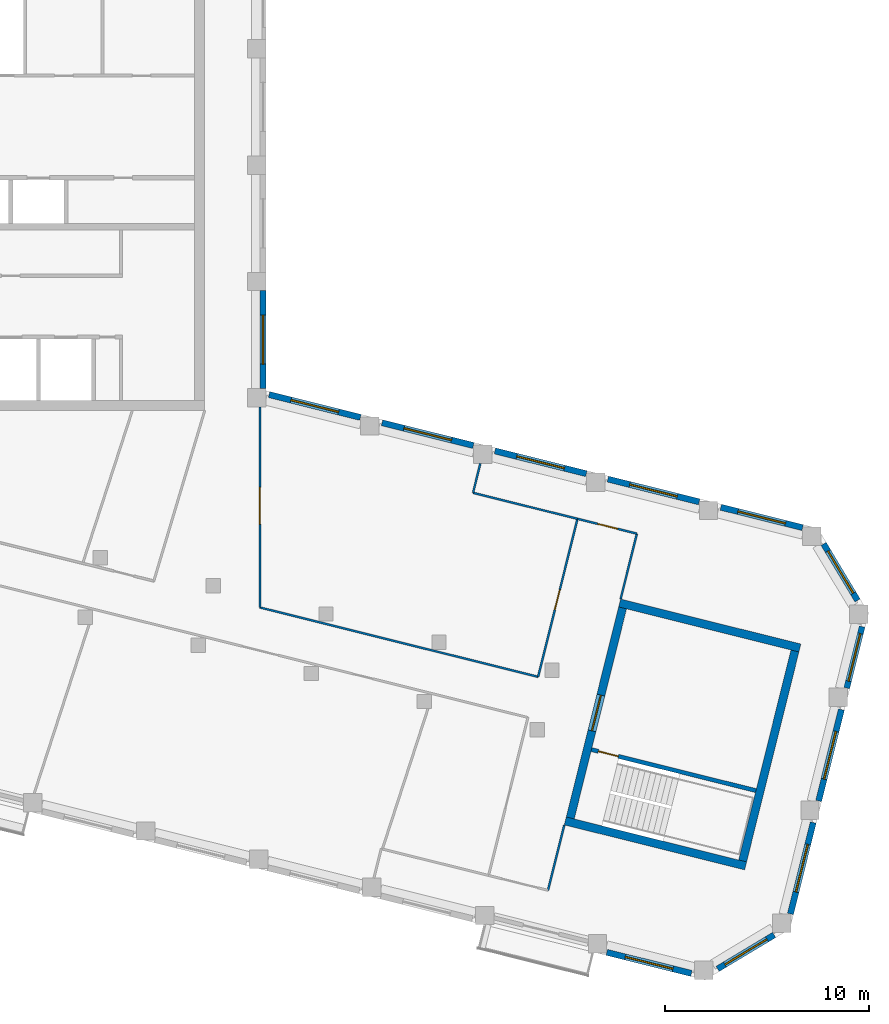
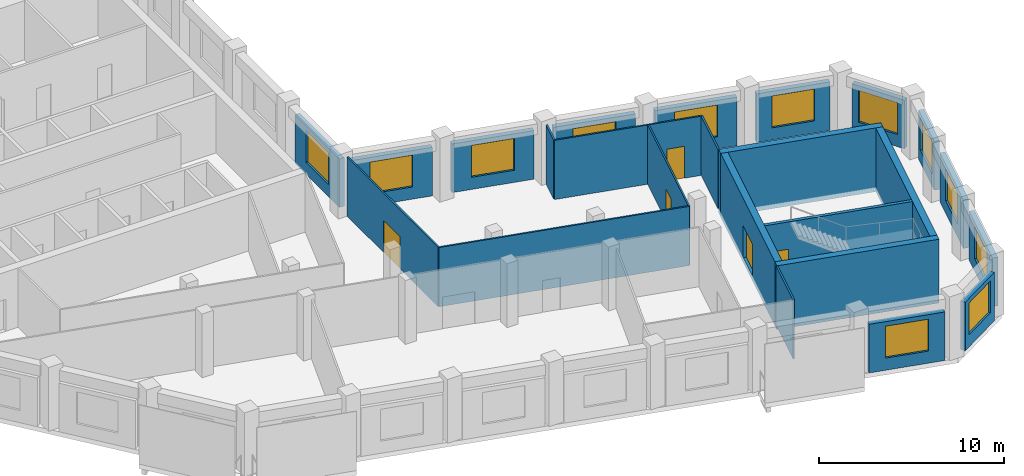
# One storey, part 4 of 8: 25 walls, 12 windows, 5 doors, 17 openings.
"""IFC4 building model written with IfcOpenShell, lengths in metres."""

import ifcopenshell
import ifcopenshell.guid

model = None  # the IFC model being written
_history = None  # IfcOwnerHistory: only IFC2X3 demands one
_inside = {}  # id of a spatial element -> (the spatial element, [elements in it])
_under = {}  # id of a project, library or spatial element -> (it, [spatial elements below it])
_declared = {}  # id of a project -> (the project, [libraries it declares])
_typed = {}  # id of a type object -> (the type object, [elements of that type])
_made_of = {}  # id of a material, layer set ... -> (it, [elements and type objects made of it])


def new_model(schema):
    """Start an empty IFC model of exactly this schema.

    Asked for "IFC4X3", IfcOpenShell would pick the latest addendum, in which some entities
    have other attributes; the version numbers below select the first issue.
    IFC2X3 requires an IfcOwnerHistory on every rooted entity: one is made here for all.
    """
    global model, _history
    if schema == "IFC4X3":
        model = ifcopenshell.file(schema_version=(4, 3, 0, 0))
    else:
        model = ifcopenshell.file(schema=schema)
    _inside.clear()
    _under.clear()
    _declared.clear()
    _typed.clear()
    _made_of.clear()
    _history = None
    if model.schema == "IFC2X3":
        org = make("IfcOrganization", Name="unknown")
        user = make(
            "IfcPersonAndOrganization",
            ThePerson=make("IfcPerson", FamilyName="unknown"),
            TheOrganization=org,
        )
        app = make(
            "IfcApplication",
            ApplicationDeveloper=org,
            Version="unknown",
            ApplicationFullName="unknown",
            ApplicationIdentifier="unknown",
        )
        _history = make(
            "IfcOwnerHistory",
            OwningUser=user,
            OwningApplication=app,
            ChangeAction="ADDED",
            CreationDate=0,
        )
    return model


def make(cls, **values):
    """One entity of the class cls with the attributes given. An attribute that is None is left unset."""
    return model.create_entity(
        cls, **{name: value for name, value in values.items() if value is not None}
    )


def rooted(cls, **values):
    """An entity with a GlobalId (a new one), such as an element, a storey or a relation."""
    return make(cls, GlobalId=ifcopenshell.guid.new(), OwnerHistory=_history, **values)


def si_unit(unit_type, name, prefix=None):
    """IfcSIUnit, for example si_unit("LENGTHUNIT", "METRE", prefix="MILLI")."""
    return make("IfcSIUnit", UnitType=unit_type, Prefix=prefix, Name=name)


def assignment(units):
    """IfcUnitAssignment: the units of a project."""
    return None if units is None else make("IfcUnitAssignment", Units=units)


def point(xyz):
    """IfcCartesianPoint."""
    return None if xyz is None else make("IfcCartesianPoint", Coordinates=xyz)


def direction(xyz):
    """IfcDirection."""
    return None if xyz is None else make("IfcDirection", DirectionRatios=xyz)


def frame(location, z_axis=None, x_axis=None):
    """IfcAxis2Placement3D, a coordinate frame: its origin and axes. An axis left out is left unset."""
    return make(
        "IfcAxis2Placement3D",
        Location=point(location),
        Axis=direction(z_axis),
        RefDirection=direction(x_axis),
    )


def frame_2d(location, x_axis=None):
    """IfcAxis2Placement2D, a coordinate frame in the plane: its origin and x axis."""
    return make(
        "IfcAxis2Placement2D", Location=point(location), RefDirection=direction(x_axis)
    )


def origin():
    """The frame at (0, 0, 0) with its axes left unset."""
    return frame((0.0, 0.0, 0.0))


def place(relative_to, where):
    """IfcLocalPlacement: puts the frame where relative to a parent placement (None: the world)."""
    return make(
        "IfcLocalPlacement", PlacementRelTo=relative_to, RelativePlacement=where
    )


def context(
    kind, dimensions, precision=None, world=None, true_north=None, identifier=None
):
    """IfcGeometricRepresentationContext, for example the 3D "Model" context."""
    return make(
        "IfcGeometricRepresentationContext",
        ContextIdentifier=identifier,
        ContextType=kind,
        CoordinateSpaceDimension=dimensions,
        Precision=precision,
        WorldCoordinateSystem=world,
        TrueNorth=true_north,
    )


def subcontext(parent, identifier, kind, view, scale=None):
    """IfcGeometricRepresentationSubContext, for example "Body" below "Model"."""
    return make(
        "IfcGeometricRepresentationSubContext",
        ContextIdentifier=identifier,
        ContextType=kind,
        ParentContext=parent,
        TargetScale=scale,
        TargetView=view,
    )


def project(units=None, contexts=None):
    """IfcProject with its units and contexts."""
    return rooted(
        "IfcProject",
        Name="project",
        RepresentationContexts=contexts,
        UnitsInContext=assignment(units),
    )


def spatial(cls, under=None, at=None, **own):
    """A site, building, storey or space (cls), placed at a placement, below another one or the project."""
    s = rooted(cls, ObjectPlacement=at, **own)
    if under is not None:
        _under.setdefault(under.id(), (under, []))[1].append(s)
    return s


def profile(cls, at=None, kind="AREA", **sizes):
    """A parametric profile (cls). Its sizes go by their IFC names, for example OverallWidth=200.0."""
    return make(cls, ProfileType=kind, Position=at, **sizes)


def rectangle(**sizes):
    """IfcRectangleProfileDef."""
    return profile("IfcRectangleProfileDef", **sizes)


def extrude(swept, where, along, depth):
    """IfcExtrudedAreaSolid: the profile swept, set in the frame where, extruded along a direction by depth."""
    return make(
        "IfcExtrudedAreaSolid",
        SweptArea=swept,
        Position=where,
        ExtrudedDirection=direction(along),
        Depth=depth,
    )


def shape(context_of_items, identifier, shape_type, items):
    """IfcShapeRepresentation: the items that make up one representation, for example the "Body"."""
    return make(
        "IfcShapeRepresentation",
        ContextOfItems=context_of_items,
        RepresentationIdentifier=identifier,
        RepresentationType=shape_type,
        Items=items,
    )


def material(Name=None, Category=None):
    """IfcMaterial."""
    return make("IfcMaterial", Name=Name, Category=Category)


def layer(
    of_material, thickness, ventilated=None, Name=None, Category=None, Priority=None
):
    """IfcMaterialLayer: one layer of a wall or slab, of a material (None: an air gap)."""
    return make(
        "IfcMaterialLayer",
        Material=of_material,
        LayerThickness=thickness,
        IsVentilated=ventilated,
        Name=Name,
        Category=Category,
        Priority=Priority,
    )


def layer_set(layers, Name=None):
    """IfcMaterialLayerSet."""
    return make("IfcMaterialLayerSet", MaterialLayers=layers, LayerSetName=Name)


def made_of(thing, what):
    """Note that an element or type object is made of a material, layer set ...; save() writes the relation."""
    if what is not None:
        _made_of.setdefault(what.id(), (what, []))[1].append(thing)
    return thing


def type_object(cls, material=None, **own):
    """A type object (cls), such as IfcWallType, which elements share."""
    return made_of(rooted(cls, **own), material)


def element(
    cls,
    number,
    at=None,
    inside=None,
    cuts=None,
    type_object=None,
    material=None,
    context=None,
    identifier="Body",
    shape_type=None,
    held_by="IfcProductDefinitionShape",
    body=None,
    shapes=None,
    **own,
):
    """One element of the class cls, such as IfcWall. Its Tag is "e" and its number.

    at: its placement. inside: the storey or other place that contains it. cuts: it is an
    opening in that element (IfcRelVoidsElement). A single representation is given by context,
    identifier, shape_type and body (its items); several are given by shapes. held_by: the class
    of the entity that holds the representations. save() writes the other relations.
    """
    e = rooted(cls, Tag="e%d" % number, ObjectPlacement=at, **own)
    if body is not None:
        shapes = [shape(context, identifier, shape_type, body)]
    if shapes is not None:
        e.Representation = make(held_by, Representations=shapes)
    if inside is not None:
        _inside.setdefault(inside.id(), (inside, []))[1].append(e)
    if cuts is not None:
        rooted(
            "IfcRelVoidsElement", RelatingBuildingElement=cuts, RelatedOpeningElement=e
        )
    if type_object is not None:
        _typed.setdefault(type_object.id(), (type_object, []))[1].append(e)
    return made_of(e, material)


def fill(opening, filler):
    """IfcRelFillsElement: the door or window that sits in an opening."""
    return rooted(
        "IfcRelFillsElement",
        RelatingOpeningElement=opening,
        RelatedBuildingElement=filler,
    )


def aggregate(whole, parts):
    """IfcRelAggregates: a whole, such as a stair, and the parts it consists of."""
    return rooted("IfcRelAggregates", RelatingObject=whole, RelatedObjects=parts)


def save(model, path):
    """Write the relations noted so far, then the file.

    IfcRelAggregates (storeys below a building ...), IfcRelContainedInSpatialStructure (elements
    in a storey), IfcRelDefinesByType, IfcRelAssociatesMaterial and IfcRelDeclares: one each for
    every whole, place, type object, material and project.
    """
    for whole, parts in _under.values():
        aggregate(whole, parts)
    for where, things in _inside.values():
        rooted(
            "IfcRelContainedInSpatialStructure",
            RelatedElements=things,
            RelatingStructure=where,
        )
    for kind, things in _typed.values():
        rooted("IfcRelDefinesByType", RelatedObjects=things, RelatingType=kind)
    for what, things in _made_of.values():
        rooted("IfcRelAssociatesMaterial", RelatedObjects=things, RelatingMaterial=what)
    for by, libraries in _declared.values():
        rooted("IfcRelDeclares", RelatingContext=by, RelatedDefinitions=libraries)
    model.write(path)


model = new_model("IFC4")

# Units and contexts
model_context = context("Model", 3, precision=1e-05, world=origin(), true_north=direction((0.0, 1.0)))
body_context = subcontext(model_context, "Body", "Model", "MODEL_VIEW")
ifc_project = project(units=[si_unit("LENGTHUNIT", "METRE"), si_unit("AREAUNIT", "SQUARE_METRE"), si_unit("VOLUMEUNIT", "CUBIC_METRE"), si_unit("PLANEANGLEUNIT", "RADIAN"), si_unit("MASSUNIT", "GRAM", prefix="KILO")], contexts=[model_context])

# Site, building, storey
site_placement = place(None, origin())
site = spatial("IfcSite", under=ifc_project, at=site_placement, CompositionType="ELEMENT")
building_placement = place(site_placement, origin())
building = spatial("IfcBuilding", under=site, at=building_placement, Name="Meshkara Civic Tower", CompositionType="ELEMENT")
storey_placement = place(building_placement, frame((0.0, 0.0, 391.800048828125)))
storey = spatial("IfcBuildingStorey", under=building, at=storey_placement, Name="L90", CompositionType="ELEMENT", Elevation=391.800048828125)

# Wall, opening, door
ifc_material_1 = material(Name="Corridor wall 100")
ifc_layer_1 = layer(ifc_material_1, 0.10009765625)
ifc_layer_set_1 = layer_set([ifc_layer_1], Name="Corridor wall 100")
wall_type_1 = type_object("IfcWallType", Name="Corridor wall 100", PredefinedType="PARTITIONING", material=ifc_layer_set_1)
wall_1_placement = place(storey_placement, frame((33.5, 4.4541015625, 0.0), z_axis=(0.0, 0.0, 1.0), x_axis=(0.0, 1.0, 0.0)))
wall_1 = element("IfcWall", 1, at=wall_1_placement, inside=storey, type_object=wall_type_1, Name="L90-W015", PredefinedType="PARTITIONING", context=body_context, shape_type="SweptSolid", body=[
    extrude(rectangle(XDim=9.81494140625, YDim=0.10009765625, at=frame_2d((4.907470703125, 0.0))), origin(), (0.0, 0.0, 1.0), 3.89990234375),
])
opening_1_placement = place(wall_1_placement, frame((4.080078125, 0.0, 0.0)))
opening_1 = element("IfcOpeningElement", 2, at=opening_1_placement, cuts=wall_1, Name="Opening L90-D009", PredefinedType="OPENING", context=body_context, shape_type="SweptSolid", body=[
    extrude(rectangle(XDim=1.800048828125, YDim=2.10009765625, at=frame_2d((0.89990234375, 1.050048828125))), frame((0.0, 0.06005859375, 0.0), z_axis=(0.0, -1.0, 0.0), x_axis=(1.0, 0.0, 0.0)), (0.0, 0.0, 1.0), 0.1201171875),
])
ifc_material_2 = material(Name="Door pair 1800 x 2100")
door_type_1 = type_object("IfcDoorType", Name="Door pair 1800 x 2100", OperationType="SINGLE_SWING_LEFT", PredefinedType="DOOR", material=ifc_material_2)
door_1_placement = place(opening_1_placement, origin())
door_1 = element("IfcDoor", 3, at=door_1_placement, inside=storey, type_object=door_type_1, Name="L90-D009", OperationType="DOUBLE_DOOR_SINGLE_SWING", OverallHeight=2.10009765625, OverallWidth=1.800048828125, PredefinedType="DOOR", context=body_context, shape_type="SweptSolid", body=[
    extrude(rectangle(XDim=1.800048828125, YDim=2.10009765625, at=frame_2d((0.89990234375, 1.050048828125))), frame((0.0, 0.02490234375, 0.0), z_axis=(0.0, -1.0, 0.0), x_axis=(1.0, 0.0, 0.0)), (0.0, 0.0, 1.0), 0.050048828125),
])
fill(opening_1, door_1)

# Walls
wall_2_placement = place(storey_placement, frame((47.1259765625, 1.056884765625, 0.0), z_axis=(0.0, 0.0, 1.0), x_axis=(-0.970297744229, 0.241913801888, 0.0)))
element("IfcWall", 4, at=wall_2_placement, inside=storey, type_object=wall_type_1, Name="L90-W018", PredefinedType="PARTITIONING", context=body_context, shape_type="SweptSolid", body=[
    extrude(rectangle(XDim=14.04296875, YDim=0.10009765625, at=frame_2d((7.021484375, 0.0))), origin(), (0.0, 0.0, 1.0), 3.89990234375),
])
wall_3_placement = place(storey_placement, frame((47.611083984375, -9.39697265625, 0.0), z_axis=(0.0, 0.0, 1.0), x_axis=(0.241786986316, 0.970329352977, 0.0)))
element("IfcWall", 5, at=wall_3_placement, inside=storey, type_object=wall_type_1, Name="L90-W019", PredefinedType="PARTITIONING", context=body_context, shape_type="SweptSolid", body=[
    extrude(rectangle(XDim=3.2998046875, YDim=0.10009765625, at=frame_2d((1.64990234375, 0.0))), origin(), (0.0, 0.0, 1.0), 3.89990234375),
])

# Wall, opening, door
wall_4_placement = place(storey_placement, frame((49.054931640625, 8.7939453125, 0.0), z_axis=(0.0, 0.0, 1.0), x_axis=(-0.241908816319, -0.970298987213, 0.0)))
wall_4 = element("IfcWall", 6, at=wall_4_placement, inside=storey, type_object=wall_type_1, Name="L90-W020", PredefinedType="PARTITIONING", context=body_context, shape_type="SweptSolid", body=[
    extrude(rectangle(XDim=7.973876953125, YDim=0.10009765625, at=frame_2d((3.98681640625, 0.0))), origin(), (0.0, 0.0, 1.0), 3.89990234375),
])
opening_2_placement = place(wall_4_placement, frame((3.580078125, 0.0, 0.0)))
opening_2 = element("IfcOpeningElement", 7, at=opening_2_placement, cuts=wall_4, Name="Opening L90-D005", PredefinedType="OPENING", context=body_context, shape_type="SweptSolid", body=[
    extrude(rectangle(XDim=1.0, YDim=2.10009765625, at=frame_2d((0.5, 1.050048828125))), frame((0.0, 0.06005859375, 0.0), z_axis=(0.0, -1.0, 0.0), x_axis=(1.0, 0.0, 0.0)), (0.0, 0.0, 1.0), 0.1201171875),
])
ifc_material_3 = material(Name="Door 1000 x 2100")
door_type_2 = type_object("IfcDoorType", Name="Door 1000 x 2100", OperationType="SINGLE_SWING_LEFT", PredefinedType="DOOR", material=ifc_material_3)
door_2_placement = place(opening_2_placement, origin())
door_2 = element("IfcDoor", 8, at=door_2_placement, inside=storey, type_object=door_type_2, Name="L90-D005", OperationType="SINGLE_SWING_LEFT", OverallHeight=2.10009765625, OverallWidth=1.0, PredefinedType="DOOR", context=body_context, shape_type="SweptSolid", body=[
    extrude(rectangle(XDim=1.0, YDim=2.10009765625, at=frame_2d((0.5, 1.050048828125))), frame((0.0, 0.02490234375, 0.0), z_axis=(0.0, -1.0, 0.0), x_axis=(1.0, 0.0, 0.0)), (0.0, 0.0, 1.0), 0.050048828125),
])
fill(opening_2, door_2)

# Wall
wall_5_placement = place(storey_placement, frame((51.1669921875, 4.865966796875, 0.0), z_axis=(0.0, 0.0, 1.0), x_axis=(0.241839284064, 0.97031631991, 0.0)))
element("IfcWall", 9, at=wall_5_placement, inside=storey, type_object=wall_type_1, Name="L90-W021", PredefinedType="PARTITIONING", context=body_context, shape_type="SweptSolid", body=[
    extrude(rectangle(XDim=3.300048828125, YDim=0.10009765625, at=frame_2d((1.64990234375, 0.0))), origin(), (0.0, 0.0, 1.0), 3.89990234375),
])

# Wall, opening, door
wall_6_placement = place(storey_placement, frame((51.965087890625, 8.068115234375, 0.0), z_axis=(0.0, 0.0, 1.0), x_axis=(-0.970276420912, 0.241999312028, 0.0)))
wall_6 = element("IfcWall", 10, at=wall_6_placement, inside=storey, type_object=wall_type_1, Name="L90-W022", PredefinedType="PARTITIONING", context=body_context, shape_type="SweptSolid", body=[
    extrude(rectangle(XDim=2.999267578125, YDim=0.10009765625, at=frame_2d((1.49951171875, 0.0))), origin(), (0.0, 0.0, 1.0), 3.89990234375),
])
opening_3_placement = place(wall_6_placement, frame((0.97998046875, 0.0, 0.0)))
opening_3 = element("IfcOpeningElement", 11, at=opening_3_placement, cuts=wall_6, Name="Opening L90-D010", PredefinedType="OPENING", context=body_context, shape_type="SweptSolid", body=[
    extrude(rectangle(XDim=1.0, YDim=2.10009765625, at=frame_2d((0.5, 1.050048828125))), frame((0.0, 0.06005859375, 0.0), z_axis=(0.0, -1.0, 0.0), x_axis=(1.0, 0.0, 0.0)), (0.0, 0.0, 1.0), 0.1201171875),
])
door_3_placement = place(opening_3_placement, origin())
door_3 = element("IfcDoor", 12, at=door_3_placement, inside=storey, type_object=door_type_2, Name="L90-D010", OperationType="SINGLE_SWING_RIGHT", OverallHeight=2.10009765625, OverallWidth=1.0, PredefinedType="DOOR", context=body_context, shape_type="SweptSolid", body=[
    extrude(rectangle(XDim=1.0, YDim=2.10009765625, at=frame_2d((0.5, 1.050048828125))), frame((0.0, 0.02490234375, 0.0), z_axis=(0.0, -1.0, 0.0), x_axis=(1.0, 0.0, 0.0)), (0.0, 0.0, 1.0), 0.050048828125),
])
fill(opening_3, door_3)

# Wall, opening, window
ifc_material_4 = material(Name="Insulated infill panel with bronze anodised aluminium cladding", Category="aluminium")
ifc_layer_2 = layer(ifc_material_4, 0.300048828125)
ifc_layer_set_2 = layer_set([ifc_layer_2], Name="EXTERNAL INFILL WALL 300")
wall_type_2 = type_object("IfcWallType", Name="EXTERNAL INFILL WALL 300", PredefinedType="SOLIDWALL", material=ifc_layer_set_2)
wall_7_placement = place(storey_placement, frame((60.075927734375, 8.364990234375, 0.0), z_axis=(0.0, 0.0, 1.0), x_axis=(-0.970323340708, 0.24181111322, 0.0)))
wall_7 = element("IfcWall", 13, at=wall_7_placement, inside=storey, type_object=wall_type_2, Name="External wall", PredefinedType="SOLIDWALL", context=body_context, shape_type="SweptSolid", body=[
    extrude(rectangle(XDim=4.123291015625, YDim=0.300048828125, at=frame_2d((2.0615234375, 0.0))), origin(), (0.0, 0.0, 1.0), 3.199951171875),
])
opening_4_placement = place(wall_7_placement, frame((0.862060546875, 0.0, 0.800048828125)))
opening_4 = element("IfcOpeningElement", 14, at=opening_4_placement, cuts=wall_7, Name="Opening W7", PredefinedType="OPENING", context=body_context, shape_type="SweptSolid", body=[
    extrude(rectangle(XDim=2.39990234375, YDim=2.10009765625, at=frame_2d((1.199951171875, 1.050048828125))), frame((0.0, 0.159912109375, 0.0), z_axis=(0.0, -1.0, 0.0), x_axis=(1.0, 0.0, 0.0)), (0.0, 0.0, 1.0), 0.320068359375),
])
ifc_material_5 = material(Name="Tinted double glazing", Category="glass")
window_type = type_object("IfcWindowType", Name="WINDOW 2400x2100", PartitioningType="DOUBLE_PANEL_VERTICAL", PredefinedType="WINDOW", material=ifc_material_5)
window_1_placement = place(opening_4_placement, origin())
window_1 = element("IfcWindow", 15, at=window_1_placement, inside=storey, type_object=window_type, Name="Window", OverallHeight=2.10009765625, OverallWidth=2.39990234375, PartitioningType="DOUBLE_PANEL_VERTICAL", PredefinedType="WINDOW", context=body_context, shape_type="SweptSolid", body=[
    extrude(rectangle(XDim=2.39990234375, YDim=2.10009765625, at=frame_2d((1.199951171875, 1.050048828125))), frame((0.0, 0.030029296875, 0.0), z_axis=(0.0, -1.0, 0.0), x_axis=(1.0, 0.0, 0.0)), (0.0, 0.0, 1.0), 0.06005859375),
])
fill(opening_4, window_1)

wall_8_placement = place(storey_placement, frame((55.01611328125, 9.6259765625, 0.0), z_axis=(0.0, 0.0, 1.0), x_axis=(-0.970298093093, 0.241912402618, 0.0)))
wall_8 = element("IfcWall", 16, at=wall_8_placement, inside=storey, type_object=wall_type_2, Name="External wall", PredefinedType="SOLIDWALL", context=body_context, shape_type="SweptSolid", body=[
    extrude(rectangle(XDim=4.609130859375, YDim=0.300048828125, at=frame_2d((2.3046875, 0.0))), origin(), (0.0, 0.0, 1.0), 3.199951171875),
])
opening_5_placement = place(wall_8_placement, frame((1.10498046875, 0.0, 0.800048828125)))
opening_5 = element("IfcOpeningElement", 17, at=opening_5_placement, cuts=wall_8, Name="Opening W7", PredefinedType="OPENING", context=body_context, shape_type="SweptSolid", body=[
    extrude(rectangle(XDim=2.39990234375, YDim=2.10009765625, at=frame_2d((1.199951171875, 1.050048828125))), frame((0.0, 0.159912109375, 0.0), z_axis=(0.0, -1.0, 0.0), x_axis=(1.0, 0.0, 0.0)), (0.0, 0.0, 1.0), 0.320068359375),
])
window_2_placement = place(opening_5_placement, origin())
window_2 = element("IfcWindow", 18, at=window_2_placement, inside=storey, type_object=window_type, Name="Window", OverallHeight=2.10009765625, OverallWidth=2.39990234375, PartitioningType="DOUBLE_PANEL_VERTICAL", PredefinedType="WINDOW", context=body_context, shape_type="SweptSolid", body=[
    extrude(rectangle(XDim=2.39990234375, YDim=2.10009765625, at=frame_2d((1.199951171875, 1.050048828125))), frame((0.0, 0.030029296875, 0.0), z_axis=(0.0, -1.0, 0.0), x_axis=(1.0, 0.0, 0.0)), (0.0, 0.0, 1.0), 0.06005859375),
])
fill(opening_5, window_2)

wall_9_placement = place(storey_placement, frame((49.485107421875, 11.0048828125, 0.0), z_axis=(0.0, 0.0, 1.0), x_axis=(-0.970235897967, 0.242161727563, 0.0)))
wall_9 = element("IfcWall", 19, at=wall_9_placement, inside=storey, type_object=wall_type_2, Name="External wall", PredefinedType="SOLIDWALL", context=body_context, shape_type="SweptSolid", body=[
    extrude(rectangle(XDim=4.609375, YDim=0.300048828125, at=frame_2d((2.3046875, 0.0))), origin(), (0.0, 0.0, 1.0), 3.199951171875),
])
opening_6_placement = place(wall_9_placement, frame((1.10498046875, 0.0, 0.800048828125)))
opening_6 = element("IfcOpeningElement", 20, at=opening_6_placement, cuts=wall_9, Name="Opening W7", PredefinedType="OPENING", context=body_context, shape_type="SweptSolid", body=[
    extrude(rectangle(XDim=2.39990234375, YDim=2.10009765625, at=frame_2d((1.199951171875, 1.050048828125))), frame((0.0, 0.159912109375, 0.0), z_axis=(0.0, -1.0, 0.0), x_axis=(1.0, 0.0, 0.0)), (0.0, 0.0, 1.0), 0.320068359375),
])
window_3_placement = place(opening_6_placement, origin())
window_3 = element("IfcWindow", 21, at=window_3_placement, inside=storey, type_object=window_type, Name="Window", OverallHeight=2.10009765625, OverallWidth=2.39990234375, PartitioningType="DOUBLE_PANEL_VERTICAL", PredefinedType="WINDOW", context=body_context, shape_type="SweptSolid", body=[
    extrude(rectangle(XDim=2.39990234375, YDim=2.10009765625, at=frame_2d((1.199951171875, 1.050048828125))), frame((0.0, 0.030029296875, 0.0), z_axis=(0.0, -1.0, 0.0), x_axis=(1.0, 0.0, 0.0)), (0.0, 0.0, 1.0), 0.06005859375),
])
fill(opening_6, window_3)

wall_10_placement = place(storey_placement, frame((43.9541015625, 12.384033203125, 0.0), z_axis=(0.0, 0.0, 1.0), x_axis=(-0.970285689791, 0.241962146187, 0.0)))
wall_10 = element("IfcWall", 22, at=wall_10_placement, inside=storey, type_object=wall_type_2, Name="External wall", PredefinedType="SOLIDWALL", context=body_context, shape_type="SweptSolid", body=[
    extrude(rectangle(XDim=4.608154296875, YDim=0.300048828125, at=frame_2d((2.30419921875, 0.0))), origin(), (0.0, 0.0, 1.0), 3.199951171875),
])
opening_7_placement = place(wall_10_placement, frame((1.10400390625, 0.0, 0.800048828125)))
opening_7 = element("IfcOpeningElement", 23, at=opening_7_placement, cuts=wall_10, Name="Opening W7", PredefinedType="OPENING", context=body_context, shape_type="SweptSolid", body=[
    extrude(rectangle(XDim=2.39990234375, YDim=2.10009765625, at=frame_2d((1.199951171875, 1.050048828125))), frame((0.0, 0.159912109375, 0.0), z_axis=(0.0, -1.0, 0.0), x_axis=(1.0, 0.0, 0.0)), (0.0, 0.0, 1.0), 0.320068359375),
])
window_4_placement = place(opening_7_placement, origin())
window_4 = element("IfcWindow", 24, at=window_4_placement, inside=storey, type_object=window_type, Name="Window", OverallHeight=2.10009765625, OverallWidth=2.39990234375, PartitioningType="DOUBLE_PANEL_VERTICAL", PredefinedType="WINDOW", context=body_context, shape_type="SweptSolid", body=[
    extrude(rectangle(XDim=2.39990234375, YDim=2.10009765625, at=frame_2d((1.199951171875, 1.050048828125))), frame((0.0, 0.030029296875, 0.0), z_axis=(0.0, -1.0, 0.0), x_axis=(1.0, 0.0, 0.0)), (0.0, 0.0, 1.0), 0.06005859375),
])
fill(opening_7, window_4)

wall_11_placement = place(storey_placement, frame((38.424072265625, 13.762939453125, 0.0), z_axis=(0.0, 0.0, 1.0), x_axis=(-0.970248341479, 0.24211186641, 0.0)))
wall_11 = element("IfcWall", 25, at=wall_11_placement, inside=storey, type_object=wall_type_2, Name="External wall", PredefinedType="SOLIDWALL", context=body_context, shape_type="SweptSolid", body=[
    extrude(rectangle(XDim=4.609375, YDim=0.300048828125, at=frame_2d((2.3046875, 0.0))), origin(), (0.0, 0.0, 1.0), 3.199951171875),
])
opening_8_placement = place(wall_11_placement, frame((1.10498046875, 0.0, 0.800048828125)))
opening_8 = element("IfcOpeningElement", 26, at=opening_8_placement, cuts=wall_11, Name="Opening W7", PredefinedType="OPENING", context=body_context, shape_type="SweptSolid", body=[
    extrude(rectangle(XDim=2.39990234375, YDim=2.10009765625, at=frame_2d((1.199951171875, 1.050048828125))), frame((0.0, 0.159912109375, 0.0), z_axis=(0.0, -1.0, 0.0), x_axis=(1.0, 0.0, 0.0)), (0.0, 0.0, 1.0), 0.320068359375),
])
window_5_placement = place(opening_8_placement, origin())
window_5 = element("IfcWindow", 27, at=window_5_placement, inside=storey, type_object=window_type, Name="Window", OverallHeight=2.10009765625, OverallWidth=2.39990234375, PartitioningType="DOUBLE_PANEL_VERTICAL", PredefinedType="WINDOW", context=body_context, shape_type="SweptSolid", body=[
    extrude(rectangle(XDim=2.39990234375, YDim=2.10009765625, at=frame_2d((1.199951171875, 1.050048828125))), frame((0.0, 0.030029296875, 0.0), z_axis=(0.0, -1.0, 0.0), x_axis=(1.0, 0.0, 0.0)), (0.0, 0.0, 1.0), 0.06005859375),
])
fill(opening_8, window_5)

wall_12_placement = place(storey_placement, frame((33.64990234375, 15.1689453125, 0.0), z_axis=(0.0, 0.0, 1.0), x_axis=(0.0, 1.0, 0.0)))
wall_12 = element("IfcWall", 28, at=wall_12_placement, inside=storey, type_object=wall_type_2, Name="External wall", PredefinedType="SOLIDWALL", context=body_context, shape_type="SweptSolid", body=[
    extrude(rectangle(XDim=4.800048828125, YDim=0.300048828125, at=frame_2d((2.39990234375, 0.0))), origin(), (0.0, 0.0, 1.0), 3.199951171875),
])
opening_9_placement = place(wall_12_placement, frame((1.199951171875, 0.0, 0.800048828125)))
opening_9 = element("IfcOpeningElement", 29, at=opening_9_placement, cuts=wall_12, Name="Opening W7", PredefinedType="OPENING", context=body_context, shape_type="SweptSolid", body=[
    extrude(rectangle(XDim=2.39990234375, YDim=2.10009765625, at=frame_2d((1.199951171875, 1.050048828125))), frame((0.0, 0.159912109375, 0.0), z_axis=(0.0, -1.0, 0.0), x_axis=(1.0, 0.0, 0.0)), (0.0, 0.0, 1.0), 0.320068359375),
])
window_6_placement = place(opening_9_placement, origin())
window_6 = element("IfcWindow", 30, at=window_6_placement, inside=storey, type_object=window_type, Name="Window", OverallHeight=2.10009765625, OverallWidth=2.39990234375, PartitioningType="DOUBLE_PANEL_VERTICAL", PredefinedType="WINDOW", context=body_context, shape_type="SweptSolid", body=[
    extrude(rectangle(XDim=2.39990234375, YDim=2.10009765625, at=frame_2d((1.199951171875, 1.050048828125))), frame((0.0, 0.030029296875, 0.0), z_axis=(0.0, -1.0, 0.0), x_axis=(1.0, 0.0, 0.0)), (0.0, 0.0, 1.0), 0.06005859375),
])
fill(opening_9, window_6)

wall_13_placement = place(storey_placement, frame((50.491943359375, -12.43505859375, 0.0), z_axis=(0.0, 0.0, 1.0), x_axis=(0.970323940244, -0.241808707429, 0.0)))
wall_13 = element("IfcWall", 31, at=wall_13_placement, inside=storey, type_object=wall_type_2, Name="External wall", PredefinedType="SOLIDWALL", context=body_context, shape_type="SweptSolid", body=[
    extrude(rectangle(XDim=4.267822265625, YDim=0.300048828125, at=frame_2d((2.1337890625, 0.0))), origin(), (0.0, 0.0, 1.0), 3.199951171875),
])
opening_10_placement = place(wall_13_placement, frame((0.93408203125, 0.0, 0.800048828125)))
opening_10 = element("IfcOpeningElement", 32, at=opening_10_placement, cuts=wall_13, Name="Opening W7", PredefinedType="OPENING", context=body_context, shape_type="SweptSolid", body=[
    extrude(rectangle(XDim=2.39990234375, YDim=2.10009765625, at=frame_2d((1.199951171875, 1.050048828125))), frame((0.0, 0.159912109375, 0.0), z_axis=(0.0, -1.0, 0.0), x_axis=(1.0, 0.0, 0.0)), (0.0, 0.0, 1.0), 0.320068359375),
])
window_7_placement = place(opening_10_placement, origin())
window_7 = element("IfcWindow", 33, at=window_7_placement, inside=storey, type_object=window_type, Name="Window", OverallHeight=2.10009765625, OverallWidth=2.39990234375, PartitioningType="DOUBLE_PANEL_VERTICAL", PredefinedType="WINDOW", context=body_context, shape_type="SweptSolid", body=[
    extrude(rectangle(XDim=2.39990234375, YDim=2.10009765625, at=frame_2d((1.199951171875, 1.050048828125))), frame((0.0, 0.030029296875, 0.0), z_axis=(0.0, -1.0, 0.0), x_axis=(1.0, 0.0, 0.0)), (0.0, 0.0, 1.0), 0.06005859375),
])
fill(opening_10, window_7)

wall_14_placement = place(storey_placement, frame((55.9189453125, -13.2470703125, 0.0), z_axis=(0.0, 0.0, 1.0), x_axis=(0.857239224167, 0.514918355226, 0.0)))
wall_14 = element("IfcWall", 34, at=wall_14_placement, inside=storey, type_object=wall_type_2, Name="External wall", PredefinedType="SOLIDWALL", context=body_context, shape_type="SweptSolid", body=[
    extrude(rectangle(XDim=3.22802734375, YDim=0.300048828125, at=frame_2d((1.614013671875, 0.0))), origin(), (0.0, 0.0, 1.0), 3.199951171875),
])
opening_11_placement = place(wall_14_placement, frame((0.4140625, 0.0, 0.800048828125)))
opening_11 = element("IfcOpeningElement", 35, at=opening_11_placement, cuts=wall_14, Name="Opening W7", PredefinedType="OPENING", context=body_context, shape_type="SweptSolid", body=[
    extrude(rectangle(XDim=2.39990234375, YDim=2.10009765625, at=frame_2d((1.199951171875, 1.050048828125))), frame((0.0, 0.159912109375, 0.0), z_axis=(0.0, -1.0, 0.0), x_axis=(1.0, 0.0, 0.0)), (0.0, 0.0, 1.0), 0.320068359375),
])
window_8_placement = place(opening_11_placement, origin())
window_8 = element("IfcWindow", 36, at=window_8_placement, inside=storey, type_object=window_type, Name="Window", OverallHeight=2.10009765625, OverallWidth=2.39990234375, PartitioningType="DOUBLE_PANEL_VERTICAL", PredefinedType="WINDOW", context=body_context, shape_type="SweptSolid", body=[
    extrude(rectangle(XDim=2.39990234375, YDim=2.10009765625, at=frame_2d((1.199951171875, 1.050048828125))), frame((0.0, 0.030029296875, 0.0), z_axis=(0.0, -1.0, 0.0), x_axis=(1.0, 0.0, 0.0)), (0.0, 0.0, 1.0), 0.06005859375),
])
fill(opening_11, window_8)

wall_15_placement = place(storey_placement, frame((59.485107421875, -10.552001953125, 0.0), z_axis=(0.0, 0.0, 1.0), x_axis=(0.241924836652, 0.970294992984, 0.0)))
wall_15 = element("IfcWall", 37, at=wall_15_placement, inside=storey, type_object=wall_type_2, Name="External wall", PredefinedType="SOLIDWALL", context=body_context, shape_type="SweptSolid", body=[
    extrude(rectangle(XDim=4.60888671875, YDim=0.300048828125, at=frame_2d((2.304443359375, 0.0))), origin(), (0.0, 0.0, 1.0), 3.199951171875),
])
opening_12_placement = place(wall_15_placement, frame((1.10498046875, 0.0, 0.800048828125)))
opening_12 = element("IfcOpeningElement", 38, at=opening_12_placement, cuts=wall_15, Name="Opening W7", PredefinedType="OPENING", context=body_context, shape_type="SweptSolid", body=[
    extrude(rectangle(XDim=2.39990234375, YDim=2.10009765625, at=frame_2d((1.199951171875, 1.050048828125))), frame((0.0, 0.159912109375, 0.0), z_axis=(0.0, -1.0, 0.0), x_axis=(1.0, 0.0, 0.0)), (0.0, 0.0, 1.0), 0.320068359375),
])
window_9_placement = place(opening_12_placement, origin())
window_9 = element("IfcWindow", 39, at=window_9_placement, inside=storey, type_object=window_type, Name="Window", OverallHeight=2.10009765625, OverallWidth=2.39990234375, PartitioningType="DOUBLE_PANEL_VERTICAL", PredefinedType="WINDOW", context=body_context, shape_type="SweptSolid", body=[
    extrude(rectangle(XDim=2.39990234375, YDim=2.10009765625, at=frame_2d((1.199951171875, 1.050048828125))), frame((0.0, 0.030029296875, 0.0), z_axis=(0.0, -1.0, 0.0), x_axis=(1.0, 0.0, 0.0)), (0.0, 0.0, 1.0), 0.06005859375),
])
fill(opening_12, window_9)

wall_16_placement = place(storey_placement, frame((60.864013671875, -5.02099609375, 0.0), z_axis=(0.0, 0.0, 1.0), x_axis=(0.241775045801, 0.97033232824, 0.0)))
wall_16 = element("IfcWall", 40, at=wall_16_placement, inside=storey, type_object=wall_type_2, Name="External wall", PredefinedType="SOLIDWALL", context=body_context, shape_type="SweptSolid", body=[
    extrude(rectangle(XDim=4.607666015625, YDim=0.300048828125, at=frame_2d((2.3037109375, 0.0))), origin(), (0.0, 0.0, 1.0), 3.199951171875),
])
opening_13_placement = place(wall_16_placement, frame((1.10400390625, 0.0, 0.800048828125)))
opening_13 = element("IfcOpeningElement", 41, at=opening_13_placement, cuts=wall_16, Name="Opening W7", PredefinedType="OPENING", context=body_context, shape_type="SweptSolid", body=[
    extrude(rectangle(XDim=2.39990234375, YDim=2.10009765625, at=frame_2d((1.199951171875, 1.050048828125))), frame((0.0, 0.159912109375, 0.0), z_axis=(0.0, -1.0, 0.0), x_axis=(1.0, 0.0, 0.0)), (0.0, 0.0, 1.0), 0.320068359375),
])
window_10_placement = place(opening_13_placement, origin())
window_10 = element("IfcWindow", 42, at=window_10_placement, inside=storey, type_object=window_type, Name="Window", OverallHeight=2.10009765625, OverallWidth=2.39990234375, PartitioningType="DOUBLE_PANEL_VERTICAL", PredefinedType="WINDOW", context=body_context, shape_type="SweptSolid", body=[
    extrude(rectangle(XDim=2.39990234375, YDim=2.10009765625, at=frame_2d((1.199951171875, 1.050048828125))), frame((0.0, 0.030029296875, 0.0), z_axis=(0.0, -1.0, 0.0), x_axis=(1.0, 0.0, 0.0)), (0.0, 0.0, 1.0), 0.06005859375),
])
fill(opening_13, window_10)

wall_17_placement = place(storey_placement, frame((62.241943359375, 0.509033203125, 0.0), z_axis=(0.0, 0.0, 1.0), x_axis=(0.241941811838, 0.970290760383, 0.0)))
wall_17 = element("IfcWall", 43, at=wall_17_placement, inside=storey, type_object=wall_type_2, Name="External wall", PredefinedType="SOLIDWALL", context=body_context, shape_type="SweptSolid", body=[
    extrude(rectangle(XDim=3.095947265625, YDim=0.300048828125, at=frame_2d((1.5478515625, 0.0))), origin(), (0.0, 0.0, 1.0), 3.199951171875),
])
opening_14_placement = place(wall_17_placement, frame((0.347900390625, 0.0, 0.800048828125)))
opening_14 = element("IfcOpeningElement", 44, at=opening_14_placement, cuts=wall_17, Name="Opening W7", PredefinedType="OPENING", context=body_context, shape_type="SweptSolid", body=[
    extrude(rectangle(XDim=2.39990234375, YDim=2.10009765625, at=frame_2d((1.199951171875, 1.050048828125))), frame((0.0, 0.159912109375, 0.0), z_axis=(0.0, -1.0, 0.0), x_axis=(1.0, 0.0, 0.0)), (0.0, 0.0, 1.0), 0.320068359375),
])
window_11_placement = place(opening_14_placement, origin())
window_11 = element("IfcWindow", 45, at=window_11_placement, inside=storey, type_object=window_type, Name="Window", OverallHeight=2.10009765625, OverallWidth=2.39990234375, PartitioningType="DOUBLE_PANEL_VERTICAL", PredefinedType="WINDOW", context=body_context, shape_type="SweptSolid", body=[
    extrude(rectangle(XDim=2.39990234375, YDim=2.10009765625, at=frame_2d((1.199951171875, 1.050048828125))), frame((0.0, 0.030029296875, 0.0), z_axis=(0.0, -1.0, 0.0), x_axis=(1.0, 0.0, 0.0)), (0.0, 0.0, 1.0), 0.06005859375),
])
fill(opening_14, window_11)

wall_18_placement = place(storey_placement, frame((62.77099609375, 4.799072265625, 0.0), z_axis=(0.0, 0.0, 1.0), x_axis=(-0.514951742604, 0.857219168468, 0.0)))
wall_18 = element("IfcWall", 46, at=wall_18_placement, inside=storey, type_object=wall_type_2, Name="External wall", PredefinedType="SOLIDWALL", context=body_context, shape_type="SweptSolid", body=[
    extrude(rectangle(XDim=3.227783203125, YDim=0.300048828125, at=frame_2d((1.61376953125, 0.0))), origin(), (0.0, 0.0, 1.0), 3.199951171875),
])
opening_15_placement = place(wall_18_placement, frame((0.4140625, 0.0, 0.800048828125)))
opening_15 = element("IfcOpeningElement", 47, at=opening_15_placement, cuts=wall_18, Name="Opening W7", PredefinedType="OPENING", context=body_context, shape_type="SweptSolid", body=[
    extrude(rectangle(XDim=2.39990234375, YDim=2.10009765625, at=frame_2d((1.199951171875, 1.050048828125))), frame((0.0, 0.159912109375, 0.0), z_axis=(0.0, -1.0, 0.0), x_axis=(1.0, 0.0, 0.0)), (0.0, 0.0, 1.0), 0.320068359375),
])
window_12_placement = place(opening_15_placement, origin())
window_12 = element("IfcWindow", 48, at=window_12_placement, inside=storey, type_object=window_type, Name="Window", OverallHeight=2.10009765625, OverallWidth=2.39990234375, PartitioningType="DOUBLE_PANEL_VERTICAL", PredefinedType="WINDOW", context=body_context, shape_type="SweptSolid", body=[
    extrude(rectangle(XDim=2.39990234375, YDim=2.10009765625, at=frame_2d((1.199951171875, 1.050048828125))), frame((0.0, 0.030029296875, 0.0), z_axis=(0.0, -1.0, 0.0), x_axis=(1.0, 0.0, 0.0)), (0.0, 0.0, 1.0), 0.06005859375),
])
fill(opening_15, window_12)

# Walls
ifc_material_6 = material(Name="Concrete C50", Category="concrete")
ifc_layer_3 = layer(ifc_material_6, 0.39990234375)
ifc_layer_set_3 = layer_set([ifc_layer_3], Name="End core ring wall 400 C50")
wall_type_3 = type_object("IfcWallType", Name="End core ring wall 400 C50", PredefinedType="SHEAR", material=ifc_layer_set_3)
wall_19_placement = place(storey_placement, frame((48.4580078125, -6.0009765625, -0.300048828125), z_axis=(0.0, 0.0, 1.0), x_axis=(0.970281225948, -0.241980045814, 0.0)))
element("IfcWall", 49, at=wall_19_placement, inside=storey, type_object=wall_type_3, Name="L90-C032", PredefinedType="SHEAR", context=body_context, shape_type="SweptSolid", body=[
    extrude(rectangle(XDim=9.099609375, YDim=0.39990234375, at=frame_2d((4.5498046875, 0.0))), origin(), (0.0, 0.0, 1.0), 4.199951171875),
])
wall_20_placement = place(storey_placement, frame((51.118896484375, 4.672119140625, -0.300048828125), z_axis=(0.0, 0.0, 1.0), x_axis=(0.970300121521, -0.241904266553, 0.0)))
element("IfcWall", 50, at=wall_20_placement, inside=storey, type_object=wall_type_3, Name="L90-C033", PredefinedType="SHEAR", context=body_context, shape_type="SweptSolid", body=[
    extrude(rectangle(XDim=9.099365234375, YDim=0.39990234375, at=frame_2d((4.5498046875, 0.0))), origin(), (0.0, 0.0, 1.0), 4.199951171875),
])

# Wall, opening, door
wall_21_placement = place(storey_placement, frame((48.699951171875, -5.85595703125, -0.300048828125), z_axis=(0.0, 0.0, 1.0), x_axis=(0.241869030534, 0.970308905488, 0.0)))
wall_21 = element("IfcWall", 51, at=wall_21_placement, inside=storey, type_object=wall_type_3, Name="L90-C034", PredefinedType="SHEAR", context=body_context, shape_type="SweptSolid", body=[
    extrude(rectangle(XDim=10.6005859375, YDim=0.39990234375, at=frame_2d((5.30029296875, 0.0))), origin(), (0.0, 0.0, 1.0), 4.199951171875),
])
opening_16_placement = place(wall_21_placement, frame((4.39990234375, 0.0, 0.300048828125)))
opening_16 = element("IfcOpeningElement", 52, at=opening_16_placement, cuts=wall_21, Name="Opening L90-K202", PredefinedType="OPENING", context=body_context, shape_type="SweptSolid", body=[
    extrude(rectangle(XDim=1.800048828125, YDim=2.10009765625, at=frame_2d((0.89990234375, 1.050048828125))), frame((0.0, 0.2099609375, 0.0), z_axis=(0.0, -1.0, 0.0), x_axis=(1.0, 0.0, 0.0)), (0.0, 0.0, 1.0), 0.419921875),
])
ifc_material_7 = material(Name="Fire-rated door leaf in steel frame", Category="steel")
door_type_3 = type_object("IfcDoorType", Name="Core double door 1800 EI 60", OperationType="DOUBLE_DOOR_SINGLE_SWING", PredefinedType="DOOR", material=ifc_material_7)
door_4_placement = place(opening_16_placement, origin())
door_4 = element("IfcDoor", 53, at=door_4_placement, inside=storey, type_object=door_type_3, Name="L90-K202", OperationType="DOUBLE_DOOR_SINGLE_SWING", OverallHeight=2.10009765625, OverallWidth=1.800048828125, PredefinedType="DOOR", context=body_context, shape_type="SweptSolid", body=[
    extrude(rectangle(XDim=1.800048828125, YDim=2.10009765625, at=frame_2d((0.89990234375, 1.050048828125))), frame((0.0, 0.02490234375, 0.0), z_axis=(0.0, -1.0, 0.0), x_axis=(1.0, 0.0, 0.0)), (0.0, 0.0, 1.0), 0.050048828125),
])
fill(opening_16, door_4)

# Walls
wall_22_placement = place(storey_placement, frame((57.14208984375, -7.9599609375, -0.300048828125), z_axis=(0.0, 0.0, 1.0), x_axis=(0.241890652548, 0.970303515509, 0.0)))
element("IfcWall", 54, at=wall_22_placement, inside=storey, type_object=wall_type_3, Name="L90-C035", PredefinedType="SHEAR", context=body_context, shape_type="SweptSolid", body=[
    extrude(rectangle(XDim=10.599609375, YDim=0.39990234375, at=frame_2d((5.2998046875, 0.0))), origin(), (0.0, 0.0, 1.0), 4.199951171875),
])
ifc_material_8 = material(Name="Partition 100")
ifc_layer_4 = layer(ifc_material_8, 0.10009765625)
ifc_layer_set_4 = layer_set([ifc_layer_4], Name="Partition 100")
wall_type_4 = type_object("IfcWallType", Name="Partition 100", PredefinedType="PARTITIONING", material=ifc_layer_set_4)
wall_23_placement = place(storey_placement, frame((43.93994140625, 10.069091796875, 0.0), z_axis=(0.0, 0.0, 1.0), x_axis=(0.241685038638, 0.970354750645, 0.0)))
element("IfcWall", 55, at=wall_23_placement, inside=storey, type_object=wall_type_4, Name="L90-W033", PredefinedType="PARTITIONING", context=body_context, shape_type="SweptSolid", body=[
    extrude(rectangle(XDim=1.48583984375, YDim=0.10009765625, at=frame_2d((0.742919921875, 0.0))), origin(), (0.0, 0.0, 1.0), 3.89990234375),
])
wall_24_placement = place(storey_placement, frame((49.05908203125, 8.79296875, 0.0), z_axis=(0.0, 0.0, 1.0), x_axis=(-0.970305605625, 0.241882268247, 0.0)))
element("IfcWall", 56, at=wall_24_placement, inside=storey, type_object=wall_type_4, Name="L90-W034", PredefinedType="PARTITIONING", context=body_context, shape_type="SweptSolid", body=[
    extrude(rectangle(XDim=5.27587890625, YDim=0.10009765625, at=frame_2d((2.637939453125, 0.0))), origin(), (0.0, 0.0, 1.0), 3.89990234375),
])

# Wall, opening, door
ifc_material_9 = material(Name="Concrete C40/50", Category="concrete")
ifc_layer_5 = layer(ifc_material_9, 0.199951171875)
ifc_layer_set_5 = layer_set([ifc_layer_5], Name="Stair enclosure wall 200 C40/50")
wall_type_5 = type_object("IfcWallType", Name="Stair enclosure wall 200 C40/50", PredefinedType="SOLIDWALL", material=ifc_layer_set_5)
wall_25_placement = place(storey_placement, frame((49.740966796875, -2.508056640625, 0.0), z_axis=(0.0, 0.0, 1.0), x_axis=(0.970289402158, -0.241947258837, 0.0)))
wall_25 = element("IfcWall", 57, at=wall_25_placement, inside=storey, type_object=wall_type_5, Name="L90-C036", PredefinedType="SOLIDWALL", context=body_context, shape_type="SweptSolid", body=[
    extrude(rectangle(XDim=8.299560546875, YDim=0.199951171875, at=frame_2d((4.14990234375, 0.0))), origin(), (0.0, 0.0, 1.0), 3.89990234375),
])
opening_17_placement = place(wall_25_placement, frame((0.35009765625, 0.0, 0.0)))
opening_17 = element("IfcOpeningElement", 58, at=opening_17_placement, cuts=wall_25, Name="Opening L90-K201", PredefinedType="OPENING", context=body_context, shape_type="SweptSolid", body=[
    extrude(rectangle(XDim=1.0, YDim=2.10009765625, at=frame_2d((0.5, 1.050048828125))), frame((0.0, 0.10986328125, 0.0), z_axis=(0.0, -1.0, 0.0), x_axis=(1.0, 0.0, 0.0)), (0.0, 0.0, 1.0), 0.219970703125),
])
ifc_material_10 = material(Name="Fire-rated door leaf in steel frame", Category="steel")
door_type_4 = type_object("IfcDoorType", Name="Stair door 1000 EI 120", OperationType="SINGLE_SWING_LEFT", PredefinedType="DOOR", material=ifc_material_10)
door_5_placement = place(opening_17_placement, origin())
door_5 = element("IfcDoor", 59, at=door_5_placement, inside=storey, type_object=door_type_4, Name="L90-K201", OperationType="SINGLE_SWING_LEFT", OverallHeight=2.10009765625, OverallWidth=1.0, PredefinedType="DOOR", context=body_context, shape_type="SweptSolid", body=[
    extrude(rectangle(XDim=1.0, YDim=2.10009765625, at=frame_2d((0.5, 1.050048828125))), frame((0.0, 0.02490234375, 0.0), z_axis=(0.0, -1.0, 0.0), x_axis=(1.0, 0.0, 0.0)), (0.0, 0.0, 1.0), 0.050048828125),
])
fill(opening_17, door_5)

save(model, "model.ifc")
